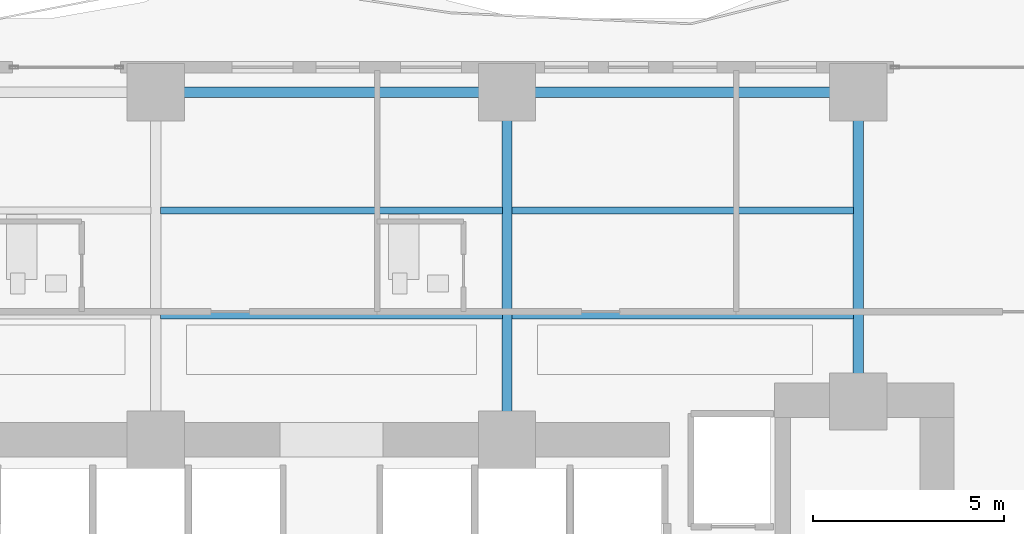
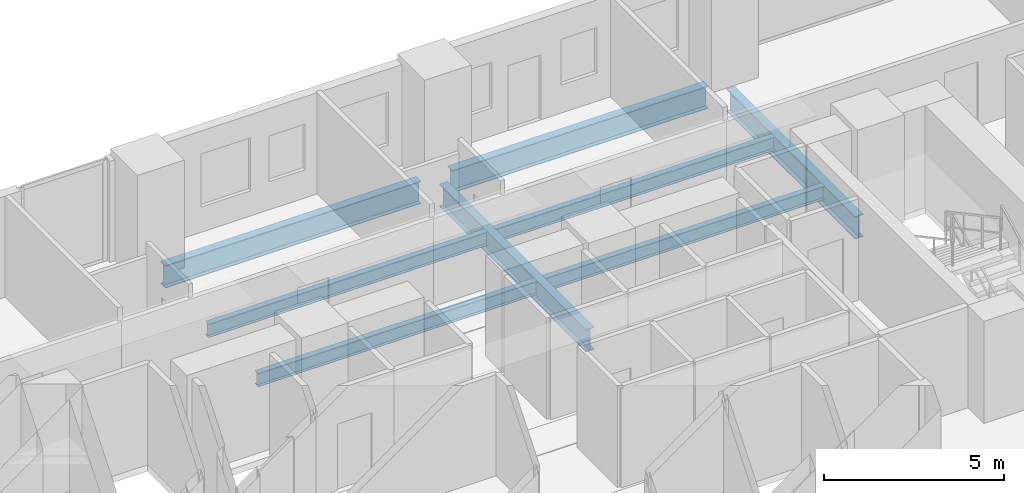
# One storey, part 15 of 29: 8 beams.
"""IFC4 building model written with IfcOpenShell, lengths in metres."""

from ifc_helpers import new_model, si_unit, direction, frame, origin, origin_2d, place, context, subcontext, project, spatial, i_section, extrude, material, material_profile, profile_set, type_object, element, save


model = new_model("IFC4")

# Units and contexts
model_context = context("Model", 3, precision=1e-05, world=origin(), true_north=direction((0.0, 1.0)))
body_context = subcontext(model_context, "Body", "Model", "MODEL_VIEW")
ifc_project = project(units=[si_unit("LENGTHUNIT", "METRE"), si_unit("AREAUNIT", "SQUARE_METRE"), si_unit("VOLUMEUNIT", "CUBIC_METRE"), si_unit("PLANEANGLEUNIT", "RADIAN"), si_unit("MASSUNIT", "GRAM", prefix="KILO")], contexts=[model_context])

# Site, building, storey
site_placement = place(None, origin())
site = spatial("IfcSite", under=ifc_project, at=site_placement, CompositionType="ELEMENT")
building_placement = place(site_placement, origin())
building = spatial("IfcBuilding", under=site, at=building_placement, Name="Zuhayl Quay Hotel", CompositionType="ELEMENT")
storey_placement = place(building_placement, frame((0.0, 0.0, 38.550048828125)))
storey = spatial("IfcBuildingStorey", under=building, at=storey_placement, Name="L08", CompositionType="ELEMENT", Elevation=38.550048828125)

# Beams
ifc_material = material(Name="Steel ASTM A992 Grade 50", Category="steel")
ifc_material_profile_1 = material_profile(ifc_material, i_section(OverallWidth=0.26708984375, OverallDepth=0.761962890625, WebThickness=0.014404296875, FlangeThickness=0.021484375, at=origin_2d()), Name="W30X116")
ifc_profile_set_1 = profile_set([ifc_material_profile_1], Name="Steel ASTM A992 Grade 50")
beam_type_1 = type_object("IfcBeamType", Name="BM_B1_W30X116", PredefinedType="BEAM", material=ifc_profile_set_1)
beam_1_placement = place(storey_placement, frame((13.300048828125, 22.449951171875, -0.60107421875), z_axis=(-1.0, 0.0, 0.0), x_axis=(0.0, -1.0, 0.0)))
element("IfcBeam", 1, at=beam_1_placement, inside=storey, type_object=beam_type_1, Name="L08 Floor Beam RG_L08_07", PredefinedType="BEAM", context=body_context, shape_type="SweptSolid", body=[
    extrude(i_section(OverallWidth=0.26708984375, OverallDepth=0.761962890625, WebThickness=0.014404296875, FlangeThickness=0.021484375, at=origin_2d()), origin(), (0.0, 0.0, 1.0), 8.199951171875),
])
beam_2_placement = place(storey_placement, frame((4.10009765625, 22.449951171875, -0.60107421875), z_axis=(-1.0, 0.0, 0.0), x_axis=(0.0, -1.0, 0.0)))
element("IfcBeam", 2, at=beam_2_placement, inside=storey, type_object=beam_type_1, Name="L08 Floor Beam RG_L08_08", PredefinedType="BEAM", context=body_context, shape_type="SweptSolid", body=[
    extrude(i_section(OverallWidth=0.26708984375, OverallDepth=0.761962890625, WebThickness=0.014404296875, FlangeThickness=0.021484375, at=origin_2d()), origin(), (0.0, 0.0, 1.0), 8.2001953125),
])
beam_3_placement = place(storey_placement, frame((4.60009765625, 13.800048828125, -0.60107421875), z_axis=(0.0, 1.0, 0.0), x_axis=(-1.0, 0.0, 0.0)))
element("IfcBeam", 3, at=beam_3_placement, inside=storey, type_object=beam_type_1, Name="L08 Floor Beam FG_N_L08_3", PredefinedType="BEAM", context=body_context, shape_type="SweptSolid", body=[
    extrude(i_section(OverallWidth=0.26708984375, OverallDepth=0.761962890625, WebThickness=0.014404296875, FlangeThickness=0.021484375, at=origin_2d()), origin(), (0.0, 0.0, 1.0), 8.14990234375),
])
beam_4_placement = place(storey_placement, frame((13.800048828125, 14.800048828125, -0.60107421875), z_axis=(0.0, 1.0, 0.0), x_axis=(-1.0, 0.0, 0.0)))
element("IfcBeam", 4, at=beam_4_placement, inside=storey, type_object=beam_type_1, Name="L08 Floor Beam FG_N_L08_4", PredefinedType="BEAM", context=body_context, shape_type="SweptSolid", body=[
    extrude(i_section(OverallWidth=0.26708984375, OverallDepth=0.761962890625, WebThickness=0.014404296875, FlangeThickness=0.021484375, at=origin_2d()), origin(), (0.0, 0.0, 1.0), 7.14990234375),
])
ifc_material_profile_2 = material_profile(ifc_material, i_section(OverallWidth=0.18994140625, OverallDepth=0.45703125, WebThickness=0.009033203125, FlangeThickness=0.014404296875, at=origin_2d()), Name="W18X50")
ifc_profile_set_2 = profile_set([ifc_material_profile_2], Name="Steel ASTM A992 Grade 50")
beam_type_2 = type_object("IfcBeamType", Name="BM_J2_W18X50", PredefinedType="JOIST", material=ifc_profile_set_2)
beam_5_placement = place(storey_placement, frame((-4.474609375, 16.60009765625, -0.448486328125), z_axis=(1.0, 0.0, 0.0), x_axis=(0.0, 1.0, 0.0)))
element("IfcBeam", 5, at=beam_5_placement, inside=storey, type_object=beam_type_2, Name="L08 Floor Beam FJ_L08_1_2", PredefinedType="JOIST", context=body_context, shape_type="SweptSolid", body=[
    extrude(i_section(OverallWidth=0.18994140625, OverallDepth=0.45703125, WebThickness=0.009033203125, FlangeThickness=0.014404296875, at=origin_2d()), origin(), (0.0, 0.0, 1.0), 8.94921875),
])
beam_6_placement = place(storey_placement, frame((4.7255859375, 16.60009765625, -0.448486328125), z_axis=(1.0, 0.0, 0.0), x_axis=(0.0, 1.0, 0.0)))
element("IfcBeam", 6, at=beam_6_placement, inside=storey, type_object=beam_type_2, Name="L08 Floor Beam FJ_L08_1_3", PredefinedType="JOIST", context=body_context, shape_type="SweptSolid", body=[
    extrude(i_section(OverallWidth=0.18994140625, OverallDepth=0.45703125, WebThickness=0.009033203125, FlangeThickness=0.014404296875, at=origin_2d()), origin(), (0.0, 0.0, 1.0), 8.948974609375),
])
beam_7_placement = place(storey_placement, frame((-4.474609375, 19.35009765625, -0.448486328125), z_axis=(1.0, 0.0, 0.0), x_axis=(0.0, 1.0, 0.0)))
element("IfcBeam", 7, at=beam_7_placement, inside=storey, type_object=beam_type_2, Name="L08 Floor Beam FJ_L08_2_2", PredefinedType="JOIST", context=body_context, shape_type="SweptSolid", body=[
    extrude(i_section(OverallWidth=0.18994140625, OverallDepth=0.45703125, WebThickness=0.009033203125, FlangeThickness=0.014404296875, at=origin_2d()), origin(), (0.0, 0.0, 1.0), 8.94921875),
])
beam_8_placement = place(storey_placement, frame((4.7255859375, 19.35009765625, -0.448486328125), z_axis=(1.0, 0.0, 0.0), x_axis=(0.0, 1.0, 0.0)))
element("IfcBeam", 8, at=beam_8_placement, inside=storey, type_object=beam_type_2, Name="L08 Floor Beam FJ_L08_2_3", PredefinedType="JOIST", context=body_context, shape_type="SweptSolid", body=[
    extrude(i_section(OverallWidth=0.18994140625, OverallDepth=0.45703125, WebThickness=0.009033203125, FlangeThickness=0.014404296875, at=origin_2d()), origin(), (0.0, 0.0, 1.0), 8.948974609375),
])

save(model, "model.ifc")
